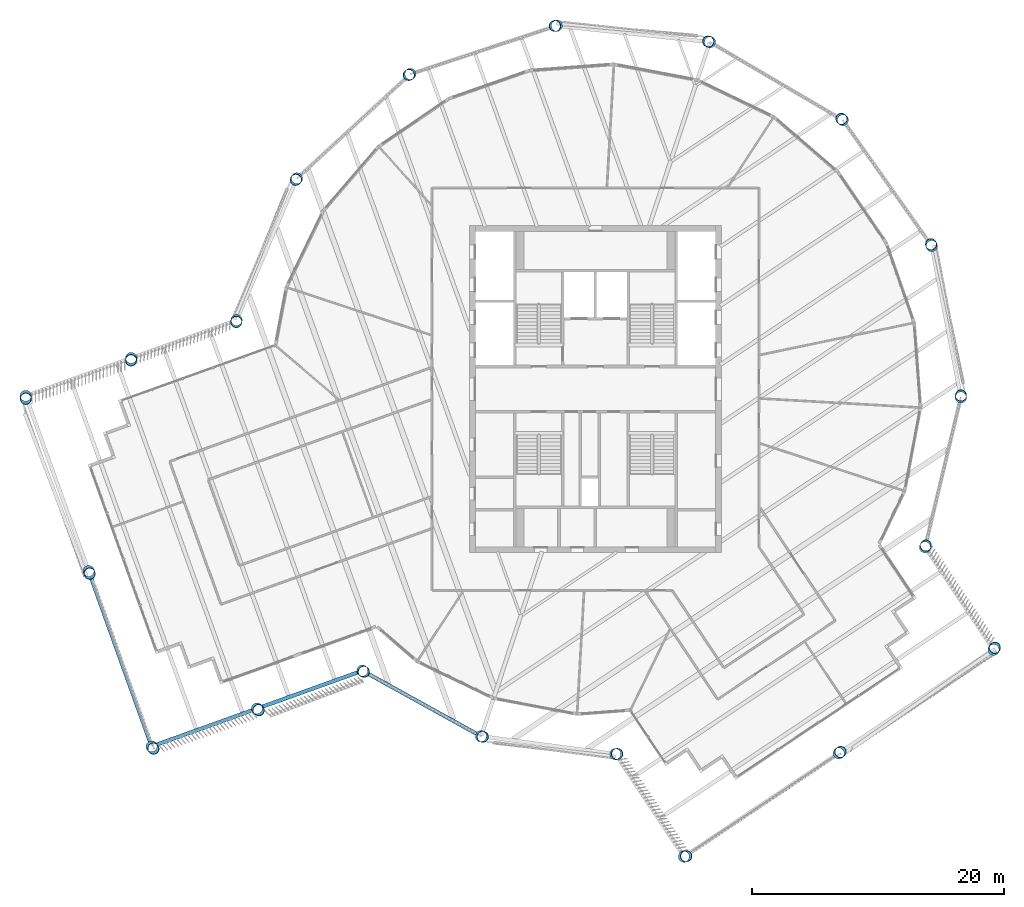
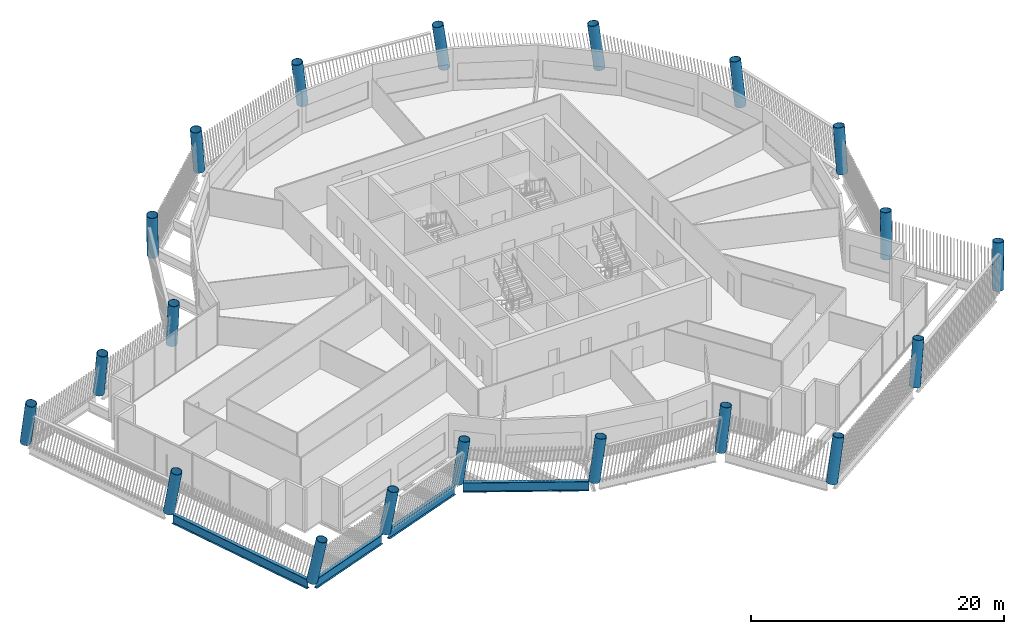
# One storey, part 1 of 28: 20 columns, 4 beams.
"""IFC4 building model written with IfcOpenShell, lengths in metres."""

from ifc_helpers import new_model, si_unit, direction, frame, origin, origin_2d, place, context, subcontext, project, spatial, hollow_circle, i_section, extrude, material, material_profile, profile_set, type_object, element, save


model = new_model("IFC4")

# Units and contexts
model_context = context("Model", 3, precision=1e-05, world=origin(), true_north=direction((0.0, 1.0)))
body_context = subcontext(model_context, "Body", "Model", "MODEL_VIEW")
ifc_project = project(units=[si_unit("LENGTHUNIT", "METRE"), si_unit("AREAUNIT", "SQUARE_METRE"), si_unit("VOLUMEUNIT", "CUBIC_METRE"), si_unit("PLANEANGLEUNIT", "RADIAN"), si_unit("MASSUNIT", "GRAM", prefix="KILO")], contexts=[model_context])

# Site, building, storey
site_placement = place(None, origin())
site = spatial("IfcSite", under=ifc_project, at=site_placement, CompositionType="ELEMENT")
building_placement = place(site_placement, origin())
building = spatial("IfcBuilding", under=site, at=building_placement, Name="Tarsis Ring Headquarters", CompositionType="ELEMENT")
storey_placement = place(building_placement, frame((0.0, 0.0, 365.0)))
storey = spatial("IfcBuildingStorey", under=building, at=storey_placement, Name="L86", CompositionType="ELEMENT", Elevation=365.0)

# Columns
ifc_material = material(Name="Structural steel S355", Category="steel")
ifc_material_profile_1 = material_profile(ifc_material, hollow_circle(Radius=0.45703125, WallThickness=0.0400390625, at=origin_2d()), Name="CHS 914x40")
ifc_profile_set_1 = profile_set([ifc_material_profile_1], Name="Structural steel S355")
column_type = type_object("IfcColumnType", Name="XC Exo column CHS 914x40", PredefinedType="COLUMN", material=ifc_profile_set_1)
for number, where, z_axis, x_axis, name in (
    (1, (-9.092041015625, -27.5888671875, 0.0009765625), (0.11863861246, -0.03791126867, 0.992213492824), (0.304389057088, 0.952547795087, 0.0), "Exo column XC8 F1"),
    (2, (1.586181640625, -29.005126953125, 0.0009765625), (0.124293627857, 0.007905397872, 0.992213988391), (-0.063474343307, 0.997983470676, 0.0), "Exo column XC8 AK"),
):
    element("IfcColumn", number, at=place(storey_placement, frame(where, z_axis=z_axis, x_axis=x_axis)), inside=storey, type_object=column_type, Name=name, PredefinedType="COLUMN", context=body_context, shape_type="SweptSolid", body=[
        extrude(hollow_circle(Radius=0.457275390625, WallThickness=0.0400390625, at=origin_2d()), origin(), (0.0, 0.0, 1.0), 4.23095703125),
    ])
column_1_placement = place(storey_placement, frame((7.03466796875, -37.15625, 0.001220703125), z_axis=(0.158199156197, 0.031398743991, 0.986907871006), x_axis=(-0.194678626211, 0.980867081972, 0.0)))
element("IfcColumn", 3, at=column_1_placement, inside=storey, type_object=column_type, Name="Exo column XC8 AT1", PredefinedType="COLUMN", context=body_context, shape_type="SweptSolid", body=[
    extrude(hollow_circle(Radius=0.457275390625, WallThickness=0.0400390625, at=origin_2d()), origin(), (0.0, 0.0, 1.0), 4.253173828125),
])
column_2_placement = place(storey_placement, frame((19.339111328125, -28.931640625, 0.001220703125), z_axis=(0.122855706578, 0.083744339315, 0.98888490786), x_axis=(-0.563240792555, 0.826292811056, 0.0)))
element("IfcColumn", 4, at=column_2_placement, inside=storey, type_object=column_type, Name="Exo column XC8 AT2", PredefinedType="COLUMN", context=body_context, shape_type="SweptSolid", body=[
    extrude(hollow_circle(Radius=0.457275390625, WallThickness=0.0400390625, at=origin_2d()), origin(), (0.0, 0.0, 1.0), 4.24462890625),
])
column_3_placement = place(storey_placement, frame((31.643310546875, -20.70703125, 0.001220703125), z_axis=(0.087078451118, 0.135755133088, 0.986908246592), x_axis=(-0.841721548449, 0.539911876954, 0.0)))
element("IfcColumn", 5, at=column_3_placement, inside=storey, type_object=column_type, Name="Exo column XC8 AT3", PredefinedType="COLUMN", context=body_context, shape_type="SweptSolid", body=[
    extrude(hollow_circle(Radius=0.457275390625, WallThickness=0.0400390625, at=origin_2d()), origin(), (0.0, 0.0, 1.0), 4.253173828125),
])
for number, where, z_axis, x_axis, name in (
    (6, (26.19482421875, -12.555908203125, 0.0009765625), (0.052798757959, 0.112810460993, 0.992212724696), (-0.905709149019, 0.423899678441, 0.0), "Exo column XC8 AJ"),
    (7, (29.04150390625, -0.642333984375, 0.0009765625), (0.001615703737, 0.124524595185, 0.992215205838), (-0.999915835615, 0.012973884799, 0.0), "Exo column XC8 R1"),
    (8, (26.724365234375, 11.38525390625, 0.0009765625), (-0.049855898778, 0.114137694193, 0.992213170705), (-0.916391103242, -0.400284081497, 0.0), "Exo column XC8 R2"),
    (9, (19.655517578125, 21.388671875, 0.0009765625), (-0.092441401127, 0.083439616748, 0.992215912851), (-0.670039264914, -0.742325658639, 0.0), "Exo column XC8 R3"),
    (10, (9.092041015625, 27.5888671875, 0.0009765625), (-0.11863861246, 0.03791126867, 0.992213492824), (-0.304389057088, -0.952547795087, 0.0), "Exo column XC8 R4"),
    (11, (-3.088134765625, 28.8837890625, 0.0009765625), (-0.123716539611, -0.014368198863, 0.992213572114), (0.115362657031, -0.993323440458, 0.0), "Exo column XC8 R5"),
    (12, (-14.71923828125, 25.043212890625, 0.0009765625), (-0.106809064502, -0.064108520076, 0.992210623504), (0.514631988672, -0.857411171046, 0.0), "Exo column XC8 R6"),
    (13, (-23.733154296875, 16.74951171875, 0.0009765625), (-0.070917461581, -0.10242351042, 0.992209724885), (0.822158840691, -0.569258149414, 0.0), "Exo column XC8 R7"),
    (14, (-28.52734375, 5.477783203125, 0.0009765625), (-0.022389040299, -0.122504980809, 0.99221532973), (0.983706399567, -0.17978242253, 0.0), "Exo column XC8 BJ"),
):
    element("IfcColumn", number, at=place(storey_placement, frame(where, z_axis=z_axis, x_axis=x_axis)), inside=storey, type_object=column_type, Name=name, PredefinedType="COLUMN", context=body_context, shape_type="SweptSolid", body=[
        extrude(hollow_circle(Radius=0.457275390625, WallThickness=0.0400390625, at=origin_2d()), origin(), (0.0, 0.0, 1.0), 4.23095703125),
    ])
column_4_placement = place(storey_placement, frame((-36.9052734375, 2.46826171875, 0.001220703125), z_axis=(-0.009131989965, -0.157598619266, 0.987461028074), x_axis=(0.998325426997, -0.05784757394, 0.0)))
element("IfcColumn", 15, at=column_4_placement, inside=storey, type_object=column_type, Name="Exo column XC8 BO1", PredefinedType="COLUMN", context=body_context, shape_type="SweptSolid", body=[
    extrude(hollow_circle(Radius=0.457275390625, WallThickness=0.0400390625, at=origin_2d()), origin(), (0.0, 0.0, 1.0), 4.250732421875),
])
column_5_placement = place(storey_placement, frame((-45.283447265625, -0.54150390625, 0.00146484375), z_axis=(0.004053161016, -0.192039910658, 0.981378746764), x_axis=(0.99977734643, 0.02110112711, 0.0)))
element("IfcColumn", 16, at=column_5_placement, inside=storey, type_object=column_type, Name="Exo column XC8 BT3", PredefinedType="COLUMN", context=body_context, shape_type="SweptSolid", body=[
    extrude(hollow_circle(Radius=0.457275390625, WallThickness=0.0400390625, at=origin_2d()), origin(), (0.0, 0.0, 1.0), 4.276611328125),
])
column_6_placement = place(storey_placement, frame((-40.27978515625, -14.47021484375, 0.001220703125), z_axis=(0.063027434473, -0.170551551361, 0.983330926409), x_axis=(0.937998945664, 0.346638108022, 0.0)))
element("IfcColumn", 17, at=column_6_placement, inside=storey, type_object=column_type, Name="Exo column XC8 BT2", PredefinedType="COLUMN", context=body_context, shape_type="SweptSolid", body=[
    extrude(hollow_circle(Radius=0.457275390625, WallThickness=0.0400390625, at=origin_2d()), origin(), (0.0, 0.0, 1.0), 4.2685546875),
])
column_7_placement = place(storey_placement, frame((-35.276123046875, -28.398681640625, 0.00146484375), z_axis=(0.121823650013, -0.148483277266, 0.981382552662), x_axis=(0.773095793654, 0.634289282452, 0.0)))
element("IfcColumn", 18, at=column_7_placement, inside=storey, type_object=column_type, Name="Exo column XC8 BT1", PredefinedType="COLUMN", context=body_context, shape_type="SweptSolid", body=[
    extrude(hollow_circle(Radius=0.457275390625, WallThickness=0.0400390625, at=origin_2d()), origin(), (0.0, 0.0, 1.0), 4.276611328125),
])
column_8_placement = place(storey_placement, frame((-26.89794921875, -25.388916015625, 0.001220703125), z_axis=(0.109355089082, -0.113777537538, 0.987469562287), x_axis=(0.720979914527, 0.692955960252, 0.0)))
element("IfcColumn", 19, at=column_8_placement, inside=storey, type_object=column_type, Name="Exo column XC8 BI1", PredefinedType="COLUMN", context=body_context, shape_type="SweptSolid", body=[
    extrude(hollow_circle(Radius=0.457275390625, WallThickness=0.0400390625, at=origin_2d()), origin(), (0.0, 0.0, 1.0), 4.250732421875),
])
column_9_placement = place(storey_placement, frame((-18.52001953125, -22.379150390625, 0.0009765625), z_axis=(0.096653673854, -0.078534716487, 0.992214878762), x_axis=(0.630610068443, 0.77609982707, 0.0)))
element("IfcColumn", 20, at=column_9_placement, inside=storey, type_object=column_type, Name="Exo column XC8 BK", PredefinedType="COLUMN", context=body_context, shape_type="SweptSolid", body=[
    extrude(hollow_circle(Radius=0.457275390625, WallThickness=0.0400390625, at=origin_2d()), origin(), (0.0, 0.0, 1.0), 4.23095703125),
])

# Beams
ifc_material_profile_2 = material_profile(ifc_material, i_section(OverallWidth=0.3046875, OverallDepth=0.91943359375, WebThickness=0.017333984375, FlangeThickness=0.02783203125, at=origin_2d()), Name="W36x170")
ifc_profile_set_2 = profile_set([ifc_material_profile_2], Name="Structural steel S355")
beam_type = type_object("IfcBeamType", Name="XG Ring girder W36x170", PredefinedType="BEAM", material=ifc_profile_set_2)
beam_1_placement = place(storey_placement, frame((-40.140625, -14.857177734375, -0.459716796875), z_axis=(0.338078594059, -0.941117880098, 0.0), x_axis=(0.941117880098, 0.338078594059, 0.0)))
element("IfcBeam", 21, at=beam_1_placement, inside=storey, type_object=beam_type, Name="Ring girder XG4", PredefinedType="BEAM", context=body_context, shape_type="SweptSolid", body=[
    extrude(i_section(OverallWidth=0.3046875, OverallDepth=0.91943359375, WebThickness=0.017333984375, FlangeThickness=0.02783203125, at=origin_2d()), origin(), (0.0, 0.0, 1.0), 13.97705078125),
])
for number, where, z_axis, x_axis, name in (
    (22, (-34.888916015625, -28.25927734375, -0.459716796875), (0.94111678585, 0.338081640126, 0.0), (-0.338081640126, 0.94111678585, 0.0), "Ring girder XG4"),
    (23, (-26.510986328125, -25.24951171875, -0.459716796875), (0.94111678585, 0.338081640126, 0.0), (-0.338081640126, 0.94111678585, 0.0), "Ring girder XG4"),
):
    element("IfcBeam", number, at=place(storey_placement, frame(where, z_axis=z_axis, x_axis=x_axis)), inside=storey, type_object=beam_type, Name=name, PredefinedType="BEAM", context=body_context, shape_type="SweptSolid", body=[
        extrude(i_section(OverallWidth=0.3046875, OverallDepth=0.91943359375, WebThickness=0.017333984375, FlangeThickness=0.02783203125, at=origin_2d()), origin(), (0.0, 0.0, 1.0), 8.079345703125),
    ])
beam_2_placement = place(storey_placement, frame((-18.159912109375, -22.578125, -0.459716796875), z_axis=(0.875253564461, -0.483664344249, 0.0), x_axis=(0.483664344249, 0.875253564461, 0.0)))
element("IfcBeam", 24, at=beam_2_placement, inside=storey, type_object=beam_type, Name="Ring girder XG4", PredefinedType="BEAM", context=body_context, shape_type="SweptSolid", body=[
    extrude(i_section(OverallWidth=0.3046875, OverallDepth=0.91943359375, WebThickness=0.017333984375, FlangeThickness=0.02783203125, at=origin_2d()), origin(), (0.0, 0.0, 1.0), 9.948486328125),
])

save(model, "model.ifc")
